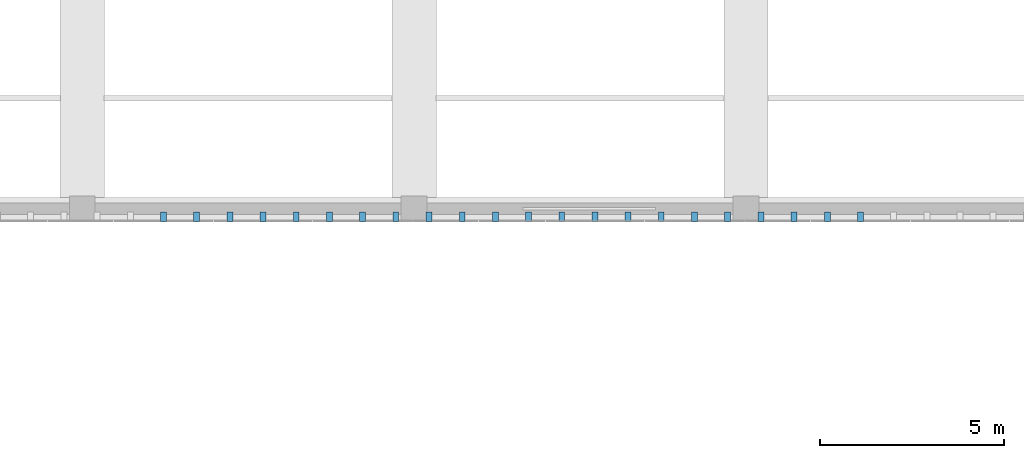
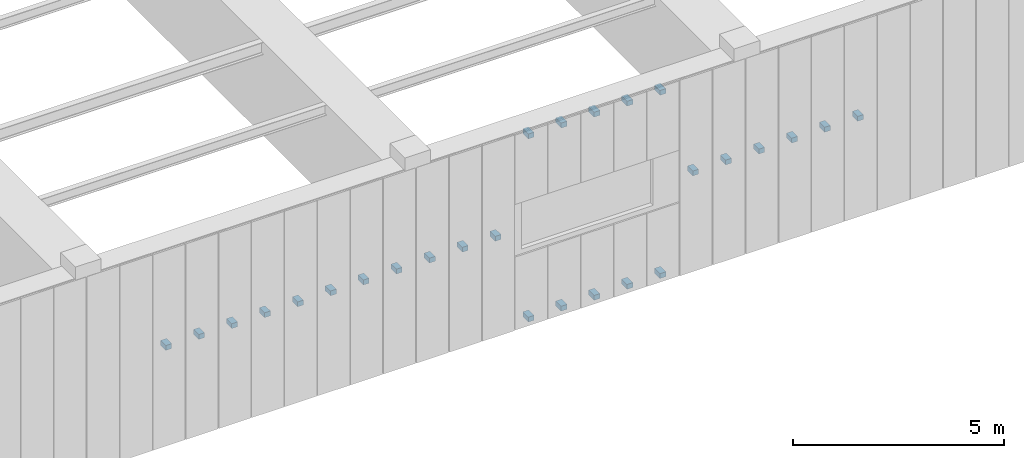
# One storey, part 83 of 105: 27 discrete accessories.
"""IFC4 building model written with IfcOpenShell, lengths in metres."""

from ifc_helpers import new_model, si_unit, direction, frame, origin, origin_2d, place, context, subcontext, project, spatial, rectangle, extrude, material, type_object, element, save


model = new_model("IFC4")

# Units and contexts
model_context = context("Model", 3, precision=1e-05, world=origin(), true_north=direction((0.0, 1.0)))
body_context = subcontext(model_context, "Body", "Model", "MODEL_VIEW")
ifc_project = project(units=[si_unit("LENGTHUNIT", "METRE"), si_unit("AREAUNIT", "SQUARE_METRE"), si_unit("VOLUMEUNIT", "CUBIC_METRE"), si_unit("PLANEANGLEUNIT", "RADIAN"), si_unit("MASSUNIT", "GRAM", prefix="KILO")], contexts=[model_context])

# Site, building, storey
site_placement = place(None, origin())
site = spatial("IfcSite", under=ifc_project, at=site_placement, CompositionType="ELEMENT")
building_placement = place(site_placement, origin())
building = spatial("IfcBuilding", under=site, at=building_placement, Name="Tizgana Railside Sports Hall", CompositionType="ELEMENT")
storey_placement = place(building_placement, frame((0.0, 0.0, 6.0)))
storey = spatial("IfcBuildingStorey", under=building, at=storey_placement, Name="L01", CompositionType="ELEMENT", Elevation=6.0)

# Discrete accessories
ifc_material = material(Name="Steel S355J2", Category="steel")
discrete_accessory_type = type_object("IfcDiscreteAccessoryType", Name="Stainless Facade Support Bracket", PredefinedType="BRACKET", material=ifc_material)
for number, where, z_axis, x_axis, name in (
    (1, (115.30029296875, 40.580078125, 2.72509765625), (0.0, 0.0, 1.0), (-1.0, 0.0, 0.0), "L01 Screen Bracket"),
    (2, (114.40087890625, 40.580078125, 2.72509765625), (0.0, 0.0, 1.0), (-1.0, 0.0, 0.0), "L01 Screen Bracket"),
    (3, (113.501220703125, 40.580078125, 2.72509765625), (0.0, 0.0, 1.0), (-1.0, 0.0, 0.0), "L01 Screen Bracket"),
    (4, (112.601806640625, 40.580078125, 2.72509765625), (0.0, 0.0, 1.0), (-1.0, 0.0, 0.0), "L01 Screen Bracket"),
    (5, (111.7021484375, 40.580078125, 2.72509765625), (0.0, 0.0, 1.0), (-1.0, 0.0, 0.0), "L01 Screen Bracket"),
    (6, (110.802734375, 40.580078125, 2.72509765625), (0.0, 0.0, 1.0), (-1.0, 0.0, 0.0), "L01 Screen Bracket"),
    (7, (109.9033203125, 40.580078125, 2.72509765625), (0.0, 0.0, 1.0), (-1.0, 0.0, 0.0), "L01 Screen Bracket"),
    (8, (109.003662109375, 40.580078125, 2.72509765625), (0.0, 0.0, 1.0), (-1.0, 0.0, 0.0), "L01 Screen Bracket"),
    (9, (124.30029296875, 40.580078125, 2.72509765625), (0.0, 0.0, 1.0), (-1.0, 0.0, 0.0), "L01 Screen Bracket"),
    (10, (123.40087890625, 40.580078125, 2.72509765625), (0.0, 0.0, 1.0), (-1.0, 0.0, 0.0), "L01 Screen Bracket"),
):
    element("IfcDiscreteAccessory", number, at=place(storey_placement, frame(where, z_axis=z_axis, x_axis=x_axis)), inside=storey, type_object=discrete_accessory_type, Name=name, PredefinedType="BRACKET", context=body_context, shape_type="SweptSolid", body=[
        extrude(rectangle(XDim=0.159912109375, YDim=0.25, at=origin_2d()), origin(), (0.0, 0.0, 1.0), 0.139892578125),
    ])
for number, where, z_axis, x_axis, name in (
    (11, (122.501220703125, 40.580078125, 0.080078125), (0.0, 0.0, 1.0), (-1.0, 0.0, 0.0), "L01 Spandrel Bracket"),
    (12, (122.501220703125, 40.580078125, 5.3701171875), (0.0, 0.0, 1.0), (-1.0, 0.0, 0.0), "L01 Header Bracket"),
    (13, (121.601806640625, 40.580078125, 0.080078125), (0.0, 0.0, 1.0), (-1.0, 0.0, 0.0), "L01 Spandrel Bracket"),
    (14, (121.601806640625, 40.580078125, 5.3701171875), (0.0, 0.0, 1.0), (-1.0, 0.0, 0.0), "L01 Header Bracket"),
    (15, (120.7021484375, 40.580078125, 0.080078125), (0.0, 0.0, 1.0), (-1.0, 0.0, 0.0), "L01 Spandrel Bracket"),
    (16, (120.7021484375, 40.580078125, 5.3701171875), (0.0, 0.0, 1.0), (-1.0, 0.0, 0.0), "L01 Header Bracket"),
    (17, (119.802734375, 40.580078125, 0.080078125), (0.0, 0.0, 1.0), (-1.0, 0.0, 0.0), "L01 Spandrel Bracket"),
    (18, (119.802734375, 40.580078125, 5.3701171875), (0.0, 0.0, 1.0), (-1.0, 0.0, 0.0), "L01 Header Bracket"),
    (19, (118.9033203125, 40.580078125, 0.080078125), (0.0, 0.0, 1.0), (-1.0, 0.0, 0.0), "L01 Spandrel Bracket"),
    (20, (118.9033203125, 40.580078125, 5.3701171875), (0.0, 0.0, 1.0), (-1.0, 0.0, 0.0), "L01 Header Bracket"),
):
    element("IfcDiscreteAccessory", number, at=place(storey_placement, frame(where, z_axis=z_axis, x_axis=x_axis)), inside=storey, type_object=discrete_accessory_type, Name=name, PredefinedType="BRACKET", context=body_context, shape_type="SweptSolid", body=[
        extrude(rectangle(XDim=0.159912109375, YDim=0.260009765625, at=origin_2d()), origin(), (0.0, 0.0, 1.0), 0.139892578125),
    ])
for number, where, z_axis, x_axis, name in (
    (21, (118.003662109375, 40.580078125, 2.72509765625), (0.0, 0.0, 1.0), (-1.0, 0.0, 0.0), "L01 Screen Bracket"),
    (22, (117.104248046875, 40.580078125, 2.72509765625), (0.0, 0.0, 1.0), (-1.0, 0.0, 0.0), "L01 Screen Bracket"),
    (23, (116.20458984375, 40.580078125, 2.72509765625), (0.0, 0.0, 1.0), (-1.0, 0.0, 0.0), "L01 Screen Bracket"),
    (24, (127.9033203125, 40.580078125, 2.72509765625), (0.0, 0.0, 1.0), (-1.0, 0.0, 0.0), "L01 Screen Bracket"),
    (25, (127.003662109375, 40.580078125, 2.72509765625), (0.0, 0.0, 1.0), (-1.0, 0.0, 0.0), "L01 Screen Bracket"),
    (26, (126.104248046875, 40.580078125, 2.72509765625), (0.0, 0.0, 1.0), (-1.0, 0.0, 0.0), "L01 Screen Bracket"),
    (27, (125.20458984375, 40.580078125, 2.72509765625), (0.0, 0.0, 1.0), (-1.0, 0.0, 0.0), "L01 Screen Bracket"),
):
    element("IfcDiscreteAccessory", number, at=place(storey_placement, frame(where, z_axis=z_axis, x_axis=x_axis)), inside=storey, type_object=discrete_accessory_type, Name=name, PredefinedType="BRACKET", context=body_context, shape_type="SweptSolid", body=[
        extrude(rectangle(XDim=0.159912109375, YDim=0.25, at=origin_2d()), origin(), (0.0, 0.0, 1.0), 0.139892578125),
    ])

save(model, "model.ifc")
